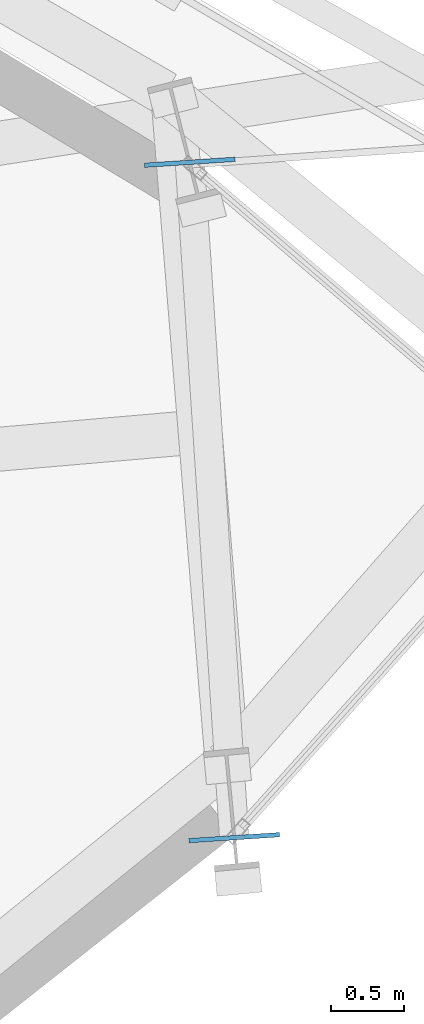
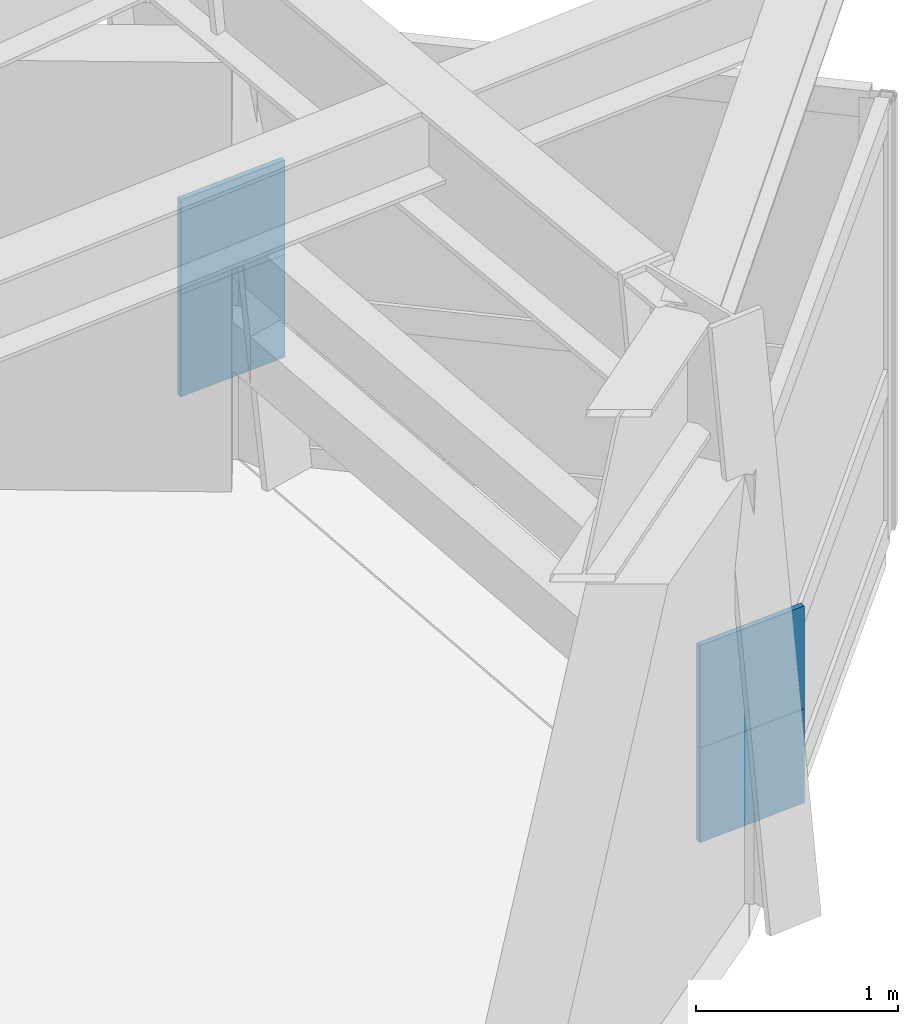
# One storey, part 15 of 22: 4 plates.
"""IFC4 building model written with IfcOpenShell, lengths in metres."""

from ifc_helpers import new_model, si_unit, direction, frame, origin, origin_2d, place, context, subcontext, project, spatial, rectangle, extrude, source, transform, mapped, material, type_object, element, save


model = new_model("IFC4")

# Units and contexts
model_context = context("Model", 3, precision=1e-05, world=origin(), true_north=direction((0.0, 1.0)))
body_context = subcontext(model_context, "Body", "Model", "MODEL_VIEW")
ifc_project = project(units=[si_unit("LENGTHUNIT", "METRE"), si_unit("AREAUNIT", "SQUARE_METRE"), si_unit("VOLUMEUNIT", "CUBIC_METRE"), si_unit("PLANEANGLEUNIT", "RADIAN"), si_unit("MASSUNIT", "GRAM", prefix="KILO")], contexts=[model_context])

# Site, building, storey
site_placement = place(None, origin())
site = spatial("IfcSite", under=ifc_project, at=site_placement, CompositionType="ELEMENT")
building_placement = place(site_placement, origin())
building = spatial("IfcBuilding", under=site, at=building_placement, Name="Olszyna Solenne Hotel", CompositionType="ELEMENT")
storey_placement = place(building_placement, frame((0.0, 0.0, 50.60009765625)))
storey = spatial("IfcBuildingStorey", under=building, at=storey_placement, Name="L12", CompositionType="ELEMENT", Elevation=50.60009765625)

# Plates
ifc_material = material(Name="Steel S460M", Category="steel")
plate_type = type_object("IfcPlateType", Name="GP-CAP2", PredefinedType="USERDEFINED", material=ifc_material)
shared_shape = source(origin(), body_context, "Body", "SweptSolid", [
    extrude(rectangle(XDim=0.030029296875, YDim=0.6201171875, at=origin_2d()), origin(), (0.0, 0.0, 1.0), 0.6201171875),
])
for number, where, z_axis, x_axis, name in (
    (1, (68.79736328125, 26.472412109375, 1.039794921875), (0.0, 0.0, 1.0), (-0.06540312923, 0.997858923239, 0.0), "Hollow section end-cap plate GP-CAP2 CP-PR-M-L12-PR1-1"),
    (2, (68.494873046875, 31.085693359375, 1.039794921875), (0.0, 0.0, 1.0), (-0.06540312923, 0.997858923239, 0.0), "Hollow section end-cap plate GP-CAP2 CP-PR-M-L12-PR1-2"),
    (3, (68.79736328125, 26.472412109375, 0.4697265625), (0.0, 0.0, 1.0), (-0.06540312923, 0.997858923239, 0.0), "Hollow section end-cap plate GP-CAP2 CP-PR-M-L12-PR2-1"),
    (4, (68.494873046875, 31.085693359375, 0.4697265625), (0.0, 0.0, 1.0), (-0.06540312923, 0.997858923239, 0.0), "Hollow section end-cap plate GP-CAP2 CP-PR-M-L12-PR2-2"),
):
    element("IfcPlate", number, at=place(storey_placement, frame(where, z_axis=z_axis, x_axis=x_axis)), inside=storey, type_object=plate_type, Name=name, ObjectType="GUSSET_PLATE", PredefinedType="USERDEFINED", context=body_context, shape_type="MappedRepresentation", body=[
        mapped(shared_shape, transform((0.0, 0.0, 0.0), x_axis=(1.0, 0.0, 0.0), y_axis=(0.0, 1.0, 0.0), z_axis=(0.0, 0.0, 1.0), scale=1.0)),
    ])

save(model, "model.ifc")
